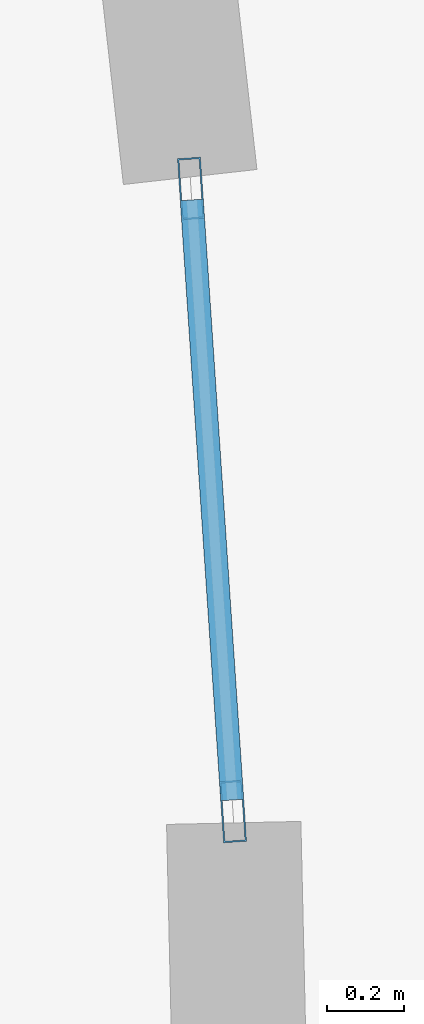
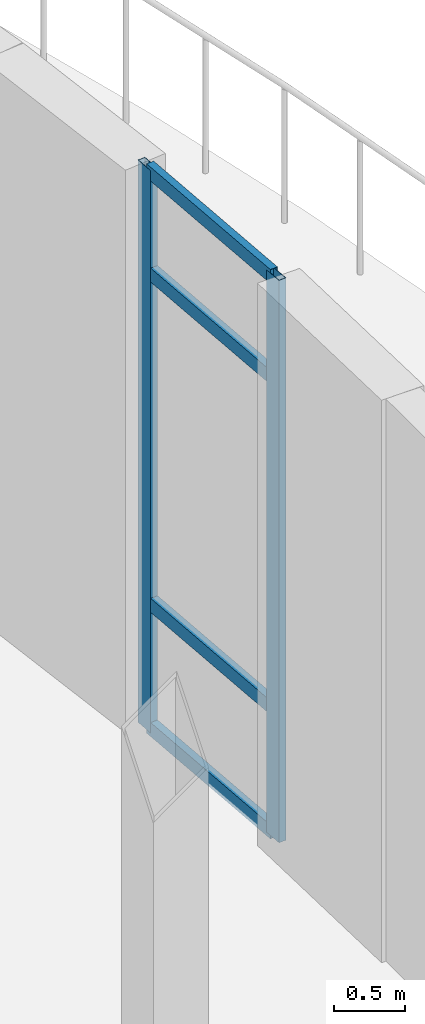
# One storey, part 23 of 57: 6 members, 1 element without a shape of its own.
"""IFC4 building model written with IfcOpenShell, lengths in metres."""

import ifcopenshell
import ifcopenshell.guid

model = None  # the IFC model being written
_history = None  # IfcOwnerHistory: only IFC2X3 demands one
_inside = {}  # id of a spatial element -> (the spatial element, [elements in it])
_under = {}  # id of a project, library or spatial element -> (it, [spatial elements below it])
_declared = {}  # id of a project -> (the project, [libraries it declares])
_typed = {}  # id of a type object -> (the type object, [elements of that type])
_made_of = {}  # id of a material, layer set ... -> (it, [elements and type objects made of it])


def new_model(schema):
    """Start an empty IFC model of exactly this schema.

    Asked for "IFC4X3", IfcOpenShell would pick the latest addendum, in which some entities
    have other attributes; the version numbers below select the first issue.
    IFC2X3 requires an IfcOwnerHistory on every rooted entity: one is made here for all.
    """
    global model, _history
    if schema == "IFC4X3":
        model = ifcopenshell.file(schema_version=(4, 3, 0, 0))
    else:
        model = ifcopenshell.file(schema=schema)
    _inside.clear()
    _under.clear()
    _declared.clear()
    _typed.clear()
    _made_of.clear()
    _history = None
    if model.schema == "IFC2X3":
        org = make("IfcOrganization", Name="unknown")
        user = make(
            "IfcPersonAndOrganization",
            ThePerson=make("IfcPerson", FamilyName="unknown"),
            TheOrganization=org,
        )
        app = make(
            "IfcApplication",
            ApplicationDeveloper=org,
            Version="unknown",
            ApplicationFullName="unknown",
            ApplicationIdentifier="unknown",
        )
        _history = make(
            "IfcOwnerHistory",
            OwningUser=user,
            OwningApplication=app,
            ChangeAction="ADDED",
            CreationDate=0,
        )
    return model


def make(cls, **values):
    """One entity of the class cls with the attributes given. An attribute that is None is left unset."""
    return model.create_entity(
        cls, **{name: value for name, value in values.items() if value is not None}
    )


def rooted(cls, **values):
    """An entity with a GlobalId (a new one), such as an element, a storey or a relation."""
    return make(cls, GlobalId=ifcopenshell.guid.new(), OwnerHistory=_history, **values)


def si_unit(unit_type, name, prefix=None):
    """IfcSIUnit, for example si_unit("LENGTHUNIT", "METRE", prefix="MILLI")."""
    return make("IfcSIUnit", UnitType=unit_type, Prefix=prefix, Name=name)


def assignment(units):
    """IfcUnitAssignment: the units of a project."""
    return None if units is None else make("IfcUnitAssignment", Units=units)


def point(xyz):
    """IfcCartesianPoint."""
    return None if xyz is None else make("IfcCartesianPoint", Coordinates=xyz)


def direction(xyz):
    """IfcDirection."""
    return None if xyz is None else make("IfcDirection", DirectionRatios=xyz)


def frame(location, z_axis=None, x_axis=None):
    """IfcAxis2Placement3D, a coordinate frame: its origin and axes. An axis left out is left unset."""
    return make(
        "IfcAxis2Placement3D",
        Location=point(location),
        Axis=direction(z_axis),
        RefDirection=direction(x_axis),
    )


def frame_2d(location, x_axis=None):
    """IfcAxis2Placement2D, a coordinate frame in the plane: its origin and x axis."""
    return make(
        "IfcAxis2Placement2D", Location=point(location), RefDirection=direction(x_axis)
    )


def origin():
    """The frame at (0, 0, 0) with its axes left unset."""
    return frame((0.0, 0.0, 0.0))


def origin_2d():
    """The frame at (0, 0) in the plane with its x axis left unset."""
    return frame_2d((0.0, 0.0))


def place(relative_to, where):
    """IfcLocalPlacement: puts the frame where relative to a parent placement (None: the world)."""
    return make(
        "IfcLocalPlacement", PlacementRelTo=relative_to, RelativePlacement=where
    )


def context(
    kind, dimensions, precision=None, world=None, true_north=None, identifier=None
):
    """IfcGeometricRepresentationContext, for example the 3D "Model" context."""
    return make(
        "IfcGeometricRepresentationContext",
        ContextIdentifier=identifier,
        ContextType=kind,
        CoordinateSpaceDimension=dimensions,
        Precision=precision,
        WorldCoordinateSystem=world,
        TrueNorth=true_north,
    )


def subcontext(parent, identifier, kind, view, scale=None):
    """IfcGeometricRepresentationSubContext, for example "Body" below "Model"."""
    return make(
        "IfcGeometricRepresentationSubContext",
        ContextIdentifier=identifier,
        ContextType=kind,
        ParentContext=parent,
        TargetScale=scale,
        TargetView=view,
    )


def project(units=None, contexts=None):
    """IfcProject with its units and contexts."""
    return rooted(
        "IfcProject",
        Name="project",
        RepresentationContexts=contexts,
        UnitsInContext=assignment(units),
    )


def spatial(cls, under=None, at=None, **own):
    """A site, building, storey or space (cls), placed at a placement, below another one or the project."""
    s = rooted(cls, ObjectPlacement=at, **own)
    if under is not None:
        _under.setdefault(under.id(), (under, []))[1].append(s)
    return s


def profile(cls, at=None, kind="AREA", **sizes):
    """A parametric profile (cls). Its sizes go by their IFC names, for example OverallWidth=200.0."""
    return make(cls, ProfileType=kind, Position=at, **sizes)


def hollow_rectangle(**sizes):
    """IfcRectangleHollowProfileDef."""
    return profile("IfcRectangleHollowProfileDef", **sizes)


def extrude(swept, where, along, depth):
    """IfcExtrudedAreaSolid: the profile swept, set in the frame where, extruded along a direction by depth."""
    return make(
        "IfcExtrudedAreaSolid",
        SweptArea=swept,
        Position=where,
        ExtrudedDirection=direction(along),
        Depth=depth,
    )


def shape(context_of_items, identifier, shape_type, items):
    """IfcShapeRepresentation: the items that make up one representation, for example the "Body"."""
    return make(
        "IfcShapeRepresentation",
        ContextOfItems=context_of_items,
        RepresentationIdentifier=identifier,
        RepresentationType=shape_type,
        Items=items,
    )


def material(Name=None, Category=None):
    """IfcMaterial."""
    return make("IfcMaterial", Name=Name, Category=Category)


def layer(
    of_material, thickness, ventilated=None, Name=None, Category=None, Priority=None
):
    """IfcMaterialLayer: one layer of a wall or slab, of a material (None: an air gap)."""
    return make(
        "IfcMaterialLayer",
        Material=of_material,
        LayerThickness=thickness,
        IsVentilated=ventilated,
        Name=Name,
        Category=Category,
        Priority=Priority,
    )


def layer_set(layers, Name=None):
    """IfcMaterialLayerSet."""
    return make("IfcMaterialLayerSet", MaterialLayers=layers, LayerSetName=Name)


def material_profile(
    of_material, cross_section, Name=None, Category=None, Priority=None
):
    """IfcMaterialProfile: a cross section and its material."""
    return make(
        "IfcMaterialProfile",
        Name=Name,
        Material=of_material,
        Profile=cross_section,
        Priority=Priority,
        Category=Category,
    )


def profile_set(profiles, Name=None, composite=None):
    """IfcMaterialProfileSet."""
    return make(
        "IfcMaterialProfileSet",
        Name=Name,
        MaterialProfiles=profiles,
        CompositeProfile=composite,
    )


def made_of(thing, what):
    """Note that an element or type object is made of a material, layer set ...; save() writes the relation."""
    if what is not None:
        _made_of.setdefault(what.id(), (what, []))[1].append(thing)
    return thing


def type_object(cls, material=None, **own):
    """A type object (cls), such as IfcWallType, which elements share."""
    return made_of(rooted(cls, **own), material)


def element(
    cls,
    number,
    at=None,
    inside=None,
    cuts=None,
    type_object=None,
    material=None,
    context=None,
    identifier="Body",
    shape_type=None,
    held_by="IfcProductDefinitionShape",
    body=None,
    shapes=None,
    **own,
):
    """One element of the class cls, such as IfcWall. Its Tag is "e" and its number.

    at: its placement. inside: the storey or other place that contains it. cuts: it is an
    opening in that element (IfcRelVoidsElement). A single representation is given by context,
    identifier, shape_type and body (its items); several are given by shapes. held_by: the class
    of the entity that holds the representations. save() writes the other relations.
    """
    e = rooted(cls, Tag="e%d" % number, ObjectPlacement=at, **own)
    if body is not None:
        shapes = [shape(context, identifier, shape_type, body)]
    if shapes is not None:
        e.Representation = make(held_by, Representations=shapes)
    if inside is not None:
        _inside.setdefault(inside.id(), (inside, []))[1].append(e)
    if cuts is not None:
        rooted(
            "IfcRelVoidsElement", RelatingBuildingElement=cuts, RelatedOpeningElement=e
        )
    if type_object is not None:
        _typed.setdefault(type_object.id(), (type_object, []))[1].append(e)
    return made_of(e, material)


def aggregate(whole, parts):
    """IfcRelAggregates: a whole, such as a stair, and the parts it consists of."""
    return rooted("IfcRelAggregates", RelatingObject=whole, RelatedObjects=parts)


def save(model, path):
    """Write the relations noted so far, then the file.

    IfcRelAggregates (storeys below a building ...), IfcRelContainedInSpatialStructure (elements
    in a storey), IfcRelDefinesByType, IfcRelAssociatesMaterial and IfcRelDeclares: one each for
    every whole, place, type object, material and project.
    """
    for whole, parts in _under.values():
        aggregate(whole, parts)
    for where, things in _inside.values():
        rooted(
            "IfcRelContainedInSpatialStructure",
            RelatedElements=things,
            RelatingStructure=where,
        )
    for kind, things in _typed.values():
        rooted("IfcRelDefinesByType", RelatedObjects=things, RelatingType=kind)
    for what, things in _made_of.values():
        rooted("IfcRelAssociatesMaterial", RelatedObjects=things, RelatingMaterial=what)
    for by, libraries in _declared.values():
        rooted("IfcRelDeclares", RelatingContext=by, RelatedDefinitions=libraries)
    model.write(path)


model = new_model("IFC4")

# Units and contexts
model_context = context("Model", 3, precision=1e-05, world=origin(), true_north=direction((0.0, 1.0)))
body_context = subcontext(model_context, "Body", "Model", "MODEL_VIEW")
ifc_project = project(units=[si_unit("LENGTHUNIT", "METRE"), si_unit("AREAUNIT", "SQUARE_METRE"), si_unit("VOLUMEUNIT", "CUBIC_METRE"), si_unit("PLANEANGLEUNIT", "RADIAN"), si_unit("MASSUNIT", "GRAM", prefix="KILO"), si_unit("THERMODYNAMICTEMPERATUREUNIT", "KELVIN")], contexts=[model_context])

# Site, building, storey
site_placement = place(None, origin())
site = spatial("IfcSite", under=ifc_project, at=site_placement, CompositionType="ELEMENT")
building_placement = place(site_placement, origin())
building = spatial("IfcBuilding", under=site, at=building_placement, Name="Lustrewick Department Store", CompositionType="ELEMENT")
storey_placement = place(building_placement, frame((0.0, 0.0, 26.699951171875)))
storey = spatial("IfcBuildingStorey", under=building, at=storey_placement, Name="L06", CompositionType="ELEMENT", Elevation=26.699951171875)

# Curtain wall, members
ifc_material = material(Name="Thermally broken aluminium 6063-T5", Category="aluminium")
ifc_layer = layer(ifc_material, 0.159912109375, Name="Thermally broken aluminium 6063-T5")
ifc_layer_set = layer_set([ifc_layer], Name="Thermally broken aluminium 6063-T5")
curtain_wall_type = type_object("IfcCurtainWallType", Name="CW13", PredefinedType="NOTDEFINED", material=ifc_layer_set)
curtain_wall_placement = place(storey_placement, origin())
curtain_wall = element("IfcCurtainWall", 1, at=curtain_wall_placement, inside=storey, type_object=curtain_wall_type, Name="L06 V4 Curtain Wall CW13", PredefinedType="NOTDEFINED")
ifc_material_profile_1 = material_profile(ifc_material, hollow_rectangle(XDim=0.06005859375, YDim=0.159912109375, WallThickness=0.00390625, at=origin_2d()), Name="ALU-M 60x160x4")
ifc_profile_set_1 = profile_set([ifc_material_profile_1], Name="Thermally broken aluminium 6063-T5")
member_type_1 = type_object("IfcMemberType", Name="CW13-M1", PredefinedType="MULLION", material=ifc_profile_set_1)
member_1_placement = place(storey_placement, frame((153.56005859375, 61.31689453125, 0.0), z_axis=(0.0, 0.0, 1.0), x_axis=(-0.997735052956, -0.067266366798, 0.0)))
member_1 = element("IfcMember", 2, at=member_1_placement, type_object=member_type_1, Name="CW13 mullion 1", PredefinedType="MULLION", context=body_context, shape_type="SweptSolid", body=[
    extrude(hollow_rectangle(XDim=0.06005859375, YDim=0.159912109375, WallThickness=0.00390625, at=origin_2d()), origin(), (0.0, 0.0, 1.0), 4.844970703125),
])
member_2_placement = place(storey_placement, frame((153.45068359375, 62.9404296875, 0.0), z_axis=(0.0, 0.0, 1.0), x_axis=(-0.997735052956, -0.067266366798, 0.0)))
member_2 = element("IfcMember", 3, at=member_2_placement, type_object=member_type_1, Name="CW13 mullion 2", PredefinedType="MULLION", context=body_context, shape_type="SweptSolid", body=[
    extrude(hollow_rectangle(XDim=0.06005859375, YDim=0.159912109375, WallThickness=0.00390625, at=origin_2d()), origin(), (0.0, 0.0, 1.0), 4.844970703125),
])
ifc_material_profile_2 = material_profile(ifc_material, hollow_rectangle(XDim=0.06005859375, YDim=0.1201171875, WallThickness=0.00341796875, at=origin_2d()), Name="ALU-T 60x120x3.5")
ifc_profile_set_2 = profile_set([ifc_material_profile_2], Name="Thermally broken aluminium 6063-T5")
member_type_2 = type_object("IfcMemberType", Name="CW13-T1", PredefinedType="USERDEFINED", material=ifc_profile_set_2)
member_3_placement = place(storey_placement, frame((153.55810546875, 61.3466796875, 0.030029296875), z_axis=(-0.067283957303, 0.997733866865, 0.0), x_axis=(-0.997733866865, -0.067283957303, 0.0)))
member_3 = element("IfcMember", 4, at=member_3_placement, type_object=member_type_2, Name="CW13 transom 1.1", ObjectType="TRANSOM", PredefinedType="USERDEFINED", context=body_context, shape_type="SweptSolid", body=[
    extrude(hollow_rectangle(XDim=0.06005859375, YDim=0.1201171875, WallThickness=0.00341796875, at=origin_2d()), origin(), (0.0, 0.0, 1.0), 1.567626953125),
])
member_4_placement = place(storey_placement, frame((153.55810546875, 61.3466796875, 1.10009765625), z_axis=(-0.067283957303, 0.997733866865, 0.0), x_axis=(-0.997733866865, -0.067283957303, 0.0)))
member_4 = element("IfcMember", 5, at=member_4_placement, type_object=member_type_2, Name="CW13 transom 1.2", ObjectType="TRANSOM", PredefinedType="USERDEFINED", context=body_context, shape_type="SweptSolid", body=[
    extrude(hollow_rectangle(XDim=0.06005859375, YDim=0.1201171875, WallThickness=0.00341796875, at=origin_2d()), origin(), (0.0, 0.0, 1.0), 1.567626953125),
])
member_5_placement = place(storey_placement, frame((153.55810546875, 61.3466796875, 3.945068359375), z_axis=(-0.067283957303, 0.997733866865, 0.0), x_axis=(-0.997733866865, -0.067283957303, 0.0)))
member_5 = element("IfcMember", 6, at=member_5_placement, type_object=member_type_2, Name="CW13 transom 1.3", ObjectType="TRANSOM", PredefinedType="USERDEFINED", context=body_context, shape_type="SweptSolid", body=[
    extrude(hollow_rectangle(XDim=0.06005859375, YDim=0.1201171875, WallThickness=0.00341796875, at=origin_2d()), origin(), (0.0, 0.0, 1.0), 1.567626953125),
])
member_6_placement = place(storey_placement, frame((153.55810546875, 61.3466796875, 4.81494140625), z_axis=(-0.067283957303, 0.997733866865, 0.0), x_axis=(-0.997733866865, -0.067283957303, 0.0)))
member_6 = element("IfcMember", 7, at=member_6_placement, type_object=member_type_2, Name="CW13 transom 1.4", ObjectType="TRANSOM", PredefinedType="USERDEFINED", context=body_context, shape_type="SweptSolid", body=[
    extrude(hollow_rectangle(XDim=0.06005859375, YDim=0.1201171875, WallThickness=0.00341796875, at=origin_2d()), origin(), (0.0, 0.0, 1.0), 1.567626953125),
])
aggregate(curtain_wall, [member_1, member_2, member_3, member_4, member_5, member_6])

save(model, "model.ifc")
